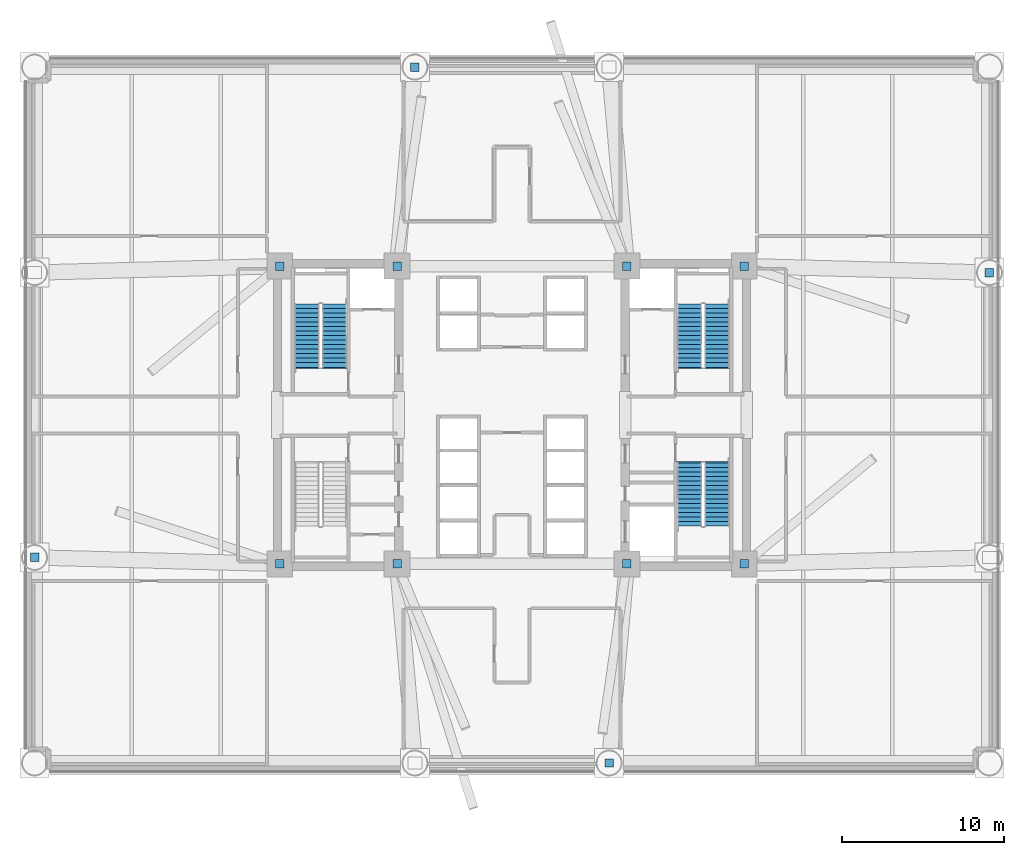
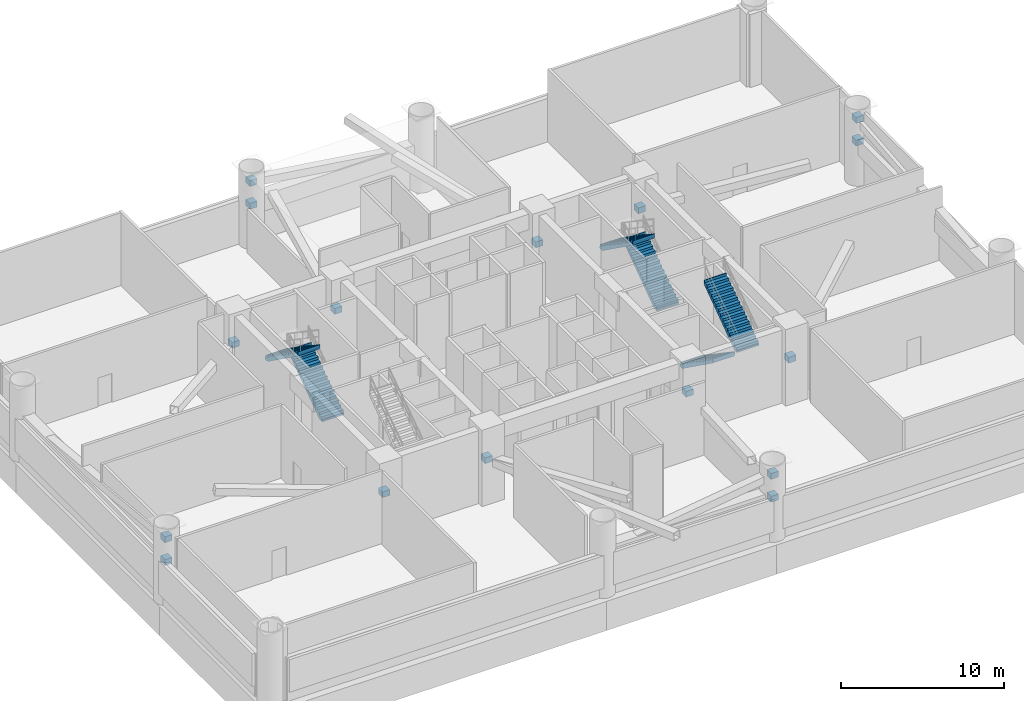
# One storey, part 6 of 10: 16 discrete accessories, 6 stair flights, 3 elements without a shape of their own.
"""IFC4 building model written with IfcOpenShell, lengths in metres."""

from ifc_helpers import new_model, si_unit, direction, frame, origin, origin_2d, place, context, subcontext, project, spatial, polyline, rectangle, outline, extrude, source, transform, mapped, material, type_object, element, aggregate, save


model = new_model("IFC4")

# Units and contexts
model_context = context("Model", 3, precision=1e-05, world=origin(), true_north=direction((0.0, 1.0)))
body_context = subcontext(model_context, "Body", "Model", "MODEL_VIEW")
ifc_project = project(units=[si_unit("LENGTHUNIT", "METRE"), si_unit("AREAUNIT", "SQUARE_METRE"), si_unit("VOLUMEUNIT", "CUBIC_METRE"), si_unit("PLANEANGLEUNIT", "RADIAN"), si_unit("MASSUNIT", "GRAM", prefix="KILO")], contexts=[model_context])

# Site, building, storey
site_placement = place(None, origin())
site = spatial("IfcSite", under=ifc_project, at=site_placement, CompositionType="ELEMENT")
building_placement = place(site_placement, origin())
building = spatial("IfcBuilding", under=site, at=building_placement, Name="Zahravan Cultural Tower", CompositionType="ELEMENT")
storey_placement = place(building_placement, frame((0.0, 0.0, 23.39990234375)))
storey = spatial("IfcBuildingStorey", under=building, at=storey_placement, Name="L04", CompositionType="ELEMENT", Elevation=23.39990234375)

# Stair, stair flights
ifc_material_1 = material(Name="Concrete C45/55", Category="concrete")
stair_type = type_object("IfcStairType", Name="STR-DL-1550-570", PredefinedType="HALF_TURN_STAIR", material=ifc_material_1)
stair_1_placement = place(storey_placement, origin())
stair_1 = element("IfcStair", 1, at=stair_1_placement, inside=storey, type_object=stair_type, Name="L04 West Core North Exit Stair ST-W1", PredefinedType="HALF_TURN_STAIR")
stair_flight_type = type_object("IfcStairFlightType", Name="FLG-DL-1550-570", PredefinedType="STRAIGHT", material=ifc_material_1)
stair_flight_1_placement = place(storey_placement, frame((25.02490234375, 29.949951171875, 0.0), z_axis=(0.0, 0.0, 1.0), x_axis=(0.0, 1.0, 0.0)))
stair_flight_1 = element("IfcStairFlight", 2, at=stair_flight_1_placement, type_object=stair_flight_type, Name="ST-W1 flight 1", NumberOfRisers=15, NumberOfTreads=14, PredefinedType="STRAIGHT", RiserHeight=0.19, TreadLength=0.28, context=body_context, shape_type="SweptSolid", body=[
    extrude(outline(polyline([(-0.06494140625, -0.139892578125), (-0.06494140625, 0.0), (0.0, 0.0), (0.0, 0.18994140625), (0.280029296875, 0.18994140625), (0.280029296875, 0.3798828125), (0.56005859375, 0.3798828125), (0.56005859375, 0.570068359375), (0.840087890625, 0.570068359375), (0.840087890625, 0.760009765625), (1.1201171875, 0.760009765625), (1.1201171875, 0.949951171875), (1.39990234375, 0.949951171875), (1.39990234375, 1.139892578125), (1.679931640625, 1.139892578125), (1.679931640625, 1.330078125), (1.9599609375, 1.330078125), (1.9599609375, 1.52001953125), (2.239990234375, 1.52001953125), (2.239990234375, 1.7099609375), (2.52001953125, 1.7099609375), (2.52001953125, 1.89990234375), (2.800048828125, 1.89990234375), (2.800048828125, 2.090087890625), (3.080078125, 2.090087890625), (3.080078125, 2.280029296875), (3.360107421875, 2.280029296875), (3.360107421875, 2.469970703125), (3.639892578125, 2.469970703125), (3.639892578125, 2.659912109375), (3.919921875, 2.659912109375), (3.919921875, 2.85009765625), (3.985107421875, 2.85009765625), (3.985107421875, 2.7001953125), (3.919921875, 2.478759765625), (0.266845703125, -0.139892578125), (-0.06494140625, -0.139892578125)])), frame((0.0, 0.77490234375, 0.0), z_axis=(0.0, -1.0, 0.0), x_axis=(1.0, 0.0, 0.0)), (0.0, 0.0, 1.0), 1.550048828125),
])
stair_flight_2_placement = place(storey_placement, frame((23.324951171875, 33.8701171875, 2.85009765625), z_axis=(0.0, 0.0, 1.0), x_axis=(0.0, -1.0, 0.0)))
stair_flight_2 = element("IfcStairFlight", 3, at=stair_flight_2_placement, type_object=stair_flight_type, Name="ST-W1 flight 2", NumberOfRisers=15, NumberOfTreads=14, PredefinedType="STRAIGHT", RiserHeight=0.19, TreadLength=0.28, context=body_context, shape_type="SweptSolid", body=[
    extrude(outline(polyline([(-0.06494140625, -0.139892578125), (-0.06494140625, 0.0), (0.0, 0.0), (0.0, 0.18994140625), (0.280029296875, 0.18994140625), (0.280029296875, 0.3798828125), (0.56005859375, 0.3798828125), (0.56005859375, 0.570068359375), (0.840087890625, 0.570068359375), (0.840087890625, 0.760009765625), (1.1201171875, 0.760009765625), (1.1201171875, 0.949951171875), (1.39990234375, 0.949951171875), (1.39990234375, 1.139892578125), (1.679931640625, 1.139892578125), (1.679931640625, 1.330078125), (1.9599609375, 1.330078125), (1.9599609375, 1.52001953125), (2.239990234375, 1.52001953125), (2.239990234375, 1.7099609375), (2.52001953125, 1.7099609375), (2.52001953125, 1.89990234375), (2.800048828125, 1.89990234375), (2.800048828125, 2.090087890625), (3.080078125, 2.090087890625), (3.080078125, 2.280029296875), (3.360107421875, 2.280029296875), (3.360107421875, 2.469970703125), (3.639892578125, 2.469970703125), (3.639892578125, 2.659912109375), (3.919921875, 2.659912109375), (3.919921875, 2.85009765625), (3.985107421875, 2.85009765625), (3.985107421875, 2.7001953125), (3.919921875, 2.478759765625), (0.266845703125, -0.139892578125), (-0.06494140625, -0.139892578125)])), frame((0.0, 0.77490234375, 0.0), z_axis=(0.0, -1.0, 0.0), x_axis=(1.0, 0.0, 0.0)), (0.0, 0.0, 1.0), 1.550048828125),
])
aggregate(stair_1, [stair_flight_1, stair_flight_2])

stair_2_placement = place(storey_placement, origin())
stair_2 = element("IfcStair", 4, at=stair_2_placement, inside=storey, type_object=stair_type, Name="L04 East Core North Exit Stair ST-E1", PredefinedType="HALF_TURN_STAIR")
stair_flight_3_placement = place(storey_placement, frame((48.675048828125, 29.949951171875, 0.0), z_axis=(0.0, 0.0, 1.0), x_axis=(0.0, 1.0, 0.0)))
stair_flight_3 = element("IfcStairFlight", 5, at=stair_flight_3_placement, type_object=stair_flight_type, Name="ST-E1 flight 1", NumberOfRisers=15, NumberOfTreads=14, PredefinedType="STRAIGHT", RiserHeight=0.19, TreadLength=0.28, context=body_context, shape_type="SweptSolid", body=[
    extrude(outline(polyline([(-0.06494140625, -0.139892578125), (-0.06494140625, 0.0), (0.0, 0.0), (0.0, 0.18994140625), (0.280029296875, 0.18994140625), (0.280029296875, 0.3798828125), (0.56005859375, 0.3798828125), (0.56005859375, 0.570068359375), (0.840087890625, 0.570068359375), (0.840087890625, 0.760009765625), (1.1201171875, 0.760009765625), (1.1201171875, 0.949951171875), (1.39990234375, 0.949951171875), (1.39990234375, 1.139892578125), (1.679931640625, 1.139892578125), (1.679931640625, 1.330078125), (1.9599609375, 1.330078125), (1.9599609375, 1.52001953125), (2.239990234375, 1.52001953125), (2.239990234375, 1.7099609375), (2.52001953125, 1.7099609375), (2.52001953125, 1.89990234375), (2.800048828125, 1.89990234375), (2.800048828125, 2.090087890625), (3.080078125, 2.090087890625), (3.080078125, 2.280029296875), (3.360107421875, 2.280029296875), (3.360107421875, 2.469970703125), (3.639892578125, 2.469970703125), (3.639892578125, 2.659912109375), (3.919921875, 2.659912109375), (3.919921875, 2.85009765625), (3.985107421875, 2.85009765625), (3.985107421875, 2.7001953125), (3.919921875, 2.478759765625), (0.266845703125, -0.139892578125), (-0.06494140625, -0.139892578125)])), frame((0.0, 0.77490234375, 0.0), z_axis=(0.0, -1.0, 0.0), x_axis=(1.0, 0.0, 0.0)), (0.0, 0.0, 1.0), 1.550048828125),
])
stair_flight_4_placement = place(storey_placement, frame((46.97509765625, 33.8701171875, 2.85009765625), z_axis=(0.0, 0.0, 1.0), x_axis=(0.0, -1.0, 0.0)))
stair_flight_4 = element("IfcStairFlight", 6, at=stair_flight_4_placement, type_object=stair_flight_type, Name="ST-E1 flight 2", NumberOfRisers=15, NumberOfTreads=14, PredefinedType="STRAIGHT", RiserHeight=0.19, TreadLength=0.28, context=body_context, shape_type="SweptSolid", body=[
    extrude(outline(polyline([(-0.06494140625, -0.139892578125), (-0.06494140625, 0.0), (0.0, 0.0), (0.0, 0.18994140625), (0.280029296875, 0.18994140625), (0.280029296875, 0.3798828125), (0.56005859375, 0.3798828125), (0.56005859375, 0.570068359375), (0.840087890625, 0.570068359375), (0.840087890625, 0.760009765625), (1.1201171875, 0.760009765625), (1.1201171875, 0.949951171875), (1.39990234375, 0.949951171875), (1.39990234375, 1.139892578125), (1.679931640625, 1.139892578125), (1.679931640625, 1.330078125), (1.9599609375, 1.330078125), (1.9599609375, 1.52001953125), (2.239990234375, 1.52001953125), (2.239990234375, 1.7099609375), (2.52001953125, 1.7099609375), (2.52001953125, 1.89990234375), (2.800048828125, 1.89990234375), (2.800048828125, 2.090087890625), (3.080078125, 2.090087890625), (3.080078125, 2.280029296875), (3.360107421875, 2.280029296875), (3.360107421875, 2.469970703125), (3.639892578125, 2.469970703125), (3.639892578125, 2.659912109375), (3.919921875, 2.659912109375), (3.919921875, 2.85009765625), (3.985107421875, 2.85009765625), (3.985107421875, 2.7001953125), (3.919921875, 2.478759765625), (0.266845703125, -0.139892578125), (-0.06494140625, -0.139892578125)])), frame((0.0, 0.77490234375, 0.0), z_axis=(0.0, -1.0, 0.0), x_axis=(1.0, 0.0, 0.0)), (0.0, 0.0, 1.0), 1.550048828125),
])
aggregate(stair_2, [stair_flight_3, stair_flight_4])

stair_3_placement = place(storey_placement, origin())
stair_3 = element("IfcStair", 7, at=stair_3_placement, inside=storey, type_object=stair_type, Name="L04 East Core South Exit Stair ST-E2", PredefinedType="HALF_TURN_STAIR")
stair_flight_5_placement = place(storey_placement, frame((46.97509765625, 24.050048828125, 0.0), z_axis=(0.0, 0.0, 1.0), x_axis=(0.0, -1.0, 0.0)))
stair_flight_5 = element("IfcStairFlight", 8, at=stair_flight_5_placement, type_object=stair_flight_type, Name="ST-E2 flight 1", NumberOfRisers=15, NumberOfTreads=14, PredefinedType="STRAIGHT", RiserHeight=0.19, TreadLength=0.28, context=body_context, shape_type="SweptSolid", body=[
    extrude(outline(polyline([(-0.06494140625, -0.139892578125), (-0.06494140625, 0.0), (0.0, 0.0), (0.0, 0.18994140625), (0.280029296875, 0.18994140625), (0.280029296875, 0.3798828125), (0.56005859375, 0.3798828125), (0.56005859375, 0.570068359375), (0.840087890625, 0.570068359375), (0.840087890625, 0.760009765625), (1.1201171875, 0.760009765625), (1.1201171875, 0.949951171875), (1.39990234375, 0.949951171875), (1.39990234375, 1.139892578125), (1.679931640625, 1.139892578125), (1.679931640625, 1.330078125), (1.9599609375, 1.330078125), (1.9599609375, 1.52001953125), (2.239990234375, 1.52001953125), (2.239990234375, 1.7099609375), (2.52001953125, 1.7099609375), (2.52001953125, 1.89990234375), (2.800048828125, 1.89990234375), (2.800048828125, 2.090087890625), (3.080078125, 2.090087890625), (3.080078125, 2.280029296875), (3.360107421875, 2.280029296875), (3.360107421875, 2.469970703125), (3.639892578125, 2.469970703125), (3.639892578125, 2.659912109375), (3.919921875, 2.659912109375), (3.919921875, 2.85009765625), (3.985107421875, 2.85009765625), (3.985107421875, 2.7001953125), (3.919921875, 2.478759765625), (0.266845703125, -0.139892578125), (-0.06494140625, -0.139892578125)])), frame((0.0, 0.77490234375, 0.0), z_axis=(0.0, -1.0, 0.0), x_axis=(1.0, 0.0, 0.0)), (0.0, 0.0, 1.0), 1.550048828125),
])
stair_flight_6_placement = place(storey_placement, frame((48.675048828125, 20.1298828125, 2.85009765625), z_axis=(0.0, 0.0, 1.0), x_axis=(0.0, 1.0, 0.0)))
stair_flight_6 = element("IfcStairFlight", 9, at=stair_flight_6_placement, type_object=stair_flight_type, Name="ST-E2 flight 2", NumberOfRisers=15, NumberOfTreads=14, PredefinedType="STRAIGHT", RiserHeight=0.19, TreadLength=0.28, context=body_context, shape_type="SweptSolid", body=[
    extrude(outline(polyline([(-0.06494140625, -0.139892578125), (-0.06494140625, 0.0), (0.0, 0.0), (0.0, 0.18994140625), (0.280029296875, 0.18994140625), (0.280029296875, 0.3798828125), (0.56005859375, 0.3798828125), (0.56005859375, 0.570068359375), (0.840087890625, 0.570068359375), (0.840087890625, 0.760009765625), (1.1201171875, 0.760009765625), (1.1201171875, 0.949951171875), (1.39990234375, 0.949951171875), (1.39990234375, 1.139892578125), (1.679931640625, 1.139892578125), (1.679931640625, 1.330078125), (1.9599609375, 1.330078125), (1.9599609375, 1.52001953125), (2.239990234375, 1.52001953125), (2.239990234375, 1.7099609375), (2.52001953125, 1.7099609375), (2.52001953125, 1.89990234375), (2.800048828125, 1.89990234375), (2.800048828125, 2.090087890625), (3.080078125, 2.090087890625), (3.080078125, 2.280029296875), (3.360107421875, 2.280029296875), (3.360107421875, 2.469970703125), (3.639892578125, 2.469970703125), (3.639892578125, 2.659912109375), (3.919921875, 2.659912109375), (3.919921875, 2.85009765625), (3.985107421875, 2.85009765625), (3.985107421875, 2.7001953125), (3.919921875, 2.478759765625), (0.266845703125, -0.139892578125), (-0.06494140625, -0.139892578125)])), frame((0.0, 0.77490234375, 0.0), z_axis=(0.0, -1.0, 0.0), x_axis=(1.0, 0.0, 0.0)), (0.0, 0.0, 1.0), 1.550048828125),
])
aggregate(stair_3, [stair_flight_5, stair_flight_6])

# Discrete accessories
ifc_material_2 = material(Name="Steel ASTM A572 Grade 50", Category="steel")
discrete_accessory_type = type_object("IfcDiscreteAccessoryType", Name="ACC-BRACE-GUSSET", PredefinedType="BRACKET", material=ifc_material_2)
shared_shape = source(origin(), body_context, "Body", "SweptSolid", [
    extrude(rectangle(XDim=0.52001953125, YDim=0.52001953125, at=origin_2d()), origin(), (0.0, 0.0, 1.0), 0.43994140625),
])
for number, where, z_axis, x_axis, name in (
    (10, (42.0, 5.5, 4.380126953125), (0.0, 0.0, 1.0), (1.0, 0.0, 0.0), "L04 Brace End Gusset Connection 001"),
    (11, (42.0, 5.5, 2.68017578125), (0.0, 0.0, 1.0), (1.0, 0.0, 0.0), "L04 Brace End Gusset Connection 002"),
    (12, (65.5, 35.800048828125, 4.380126953125), (0.0, 0.0, 1.0), (1.0, 0.0, 0.0), "L04 Brace End Gusset Connection 003"),
    (13, (65.5, 35.800048828125, 2.68017578125), (0.0, 0.0, 1.0), (1.0, 0.0, 0.0), "L04 Brace End Gusset Connection 004"),
    (14, (30.0, 48.5, 4.380126953125), (0.0, 0.0, 1.0), (1.0, 0.0, 0.0), "L04 Brace End Gusset Connection 005"),
    (15, (30.0, 48.5, 2.68017578125), (0.0, 0.0, 1.0), (1.0, 0.0, 0.0), "L04 Brace End Gusset Connection 006"),
    (16, (6.5, 18.199951171875, 4.380126953125), (0.0, 0.0, 1.0), (1.0, 0.0, 0.0), "L04 Brace End Gusset Connection 007"),
    (17, (6.5, 18.199951171875, 2.68017578125), (0.0, 0.0, 1.0), (1.0, 0.0, 0.0), "L04 Brace End Gusset Connection 008"),
    (18, (50.35009765625, 17.800048828125, 2.68017578125), (0.0, 0.0, 1.0), (1.0, 0.0, 0.0), "L04 Brace End Gusset Connection 009"),
    (19, (50.35009765625, 36.199951171875, 2.68017578125), (0.0, 0.0, 1.0), (1.0, 0.0, 0.0), "L04 Brace End Gusset Connection 010"),
    (20, (43.10009765625, 36.199951171875, 2.68017578125), (0.0, 0.0, 1.0), (1.0, 0.0, 0.0), "L04 Brace End Gusset Connection 011"),
    (21, (28.89990234375, 36.199951171875, 2.68017578125), (0.0, 0.0, 1.0), (1.0, 0.0, 0.0), "L04 Brace End Gusset Connection 012"),
    (22, (21.64990234375, 36.199951171875, 2.68017578125), (0.0, 0.0, 1.0), (1.0, 0.0, 0.0), "L04 Brace End Gusset Connection 013"),
    (23, (21.64990234375, 17.800048828125, 2.68017578125), (0.0, 0.0, 1.0), (1.0, 0.0, 0.0), "L04 Brace End Gusset Connection 014"),
    (24, (28.89990234375, 17.800048828125, 2.68017578125), (0.0, 0.0, 1.0), (1.0, 0.0, 0.0), "L04 Brace End Gusset Connection 015"),
    (25, (43.10009765625, 17.800048828125, 2.68017578125), (0.0, 0.0, 1.0), (1.0, 0.0, 0.0), "L04 Brace End Gusset Connection 016"),
):
    element("IfcDiscreteAccessory", number, at=place(storey_placement, frame(where, z_axis=z_axis, x_axis=x_axis)), inside=storey, type_object=discrete_accessory_type, Name=name, PredefinedType="BRACKET", context=body_context, shape_type="MappedRepresentation", body=[
        mapped(shared_shape, transform((0.0, 0.0, 0.0), x_axis=(1.0, 0.0, 0.0), y_axis=(0.0, 1.0, 0.0), z_axis=(0.0, 0.0, 1.0), scale=1.0)),
    ])

save(model, "model.ifc")
